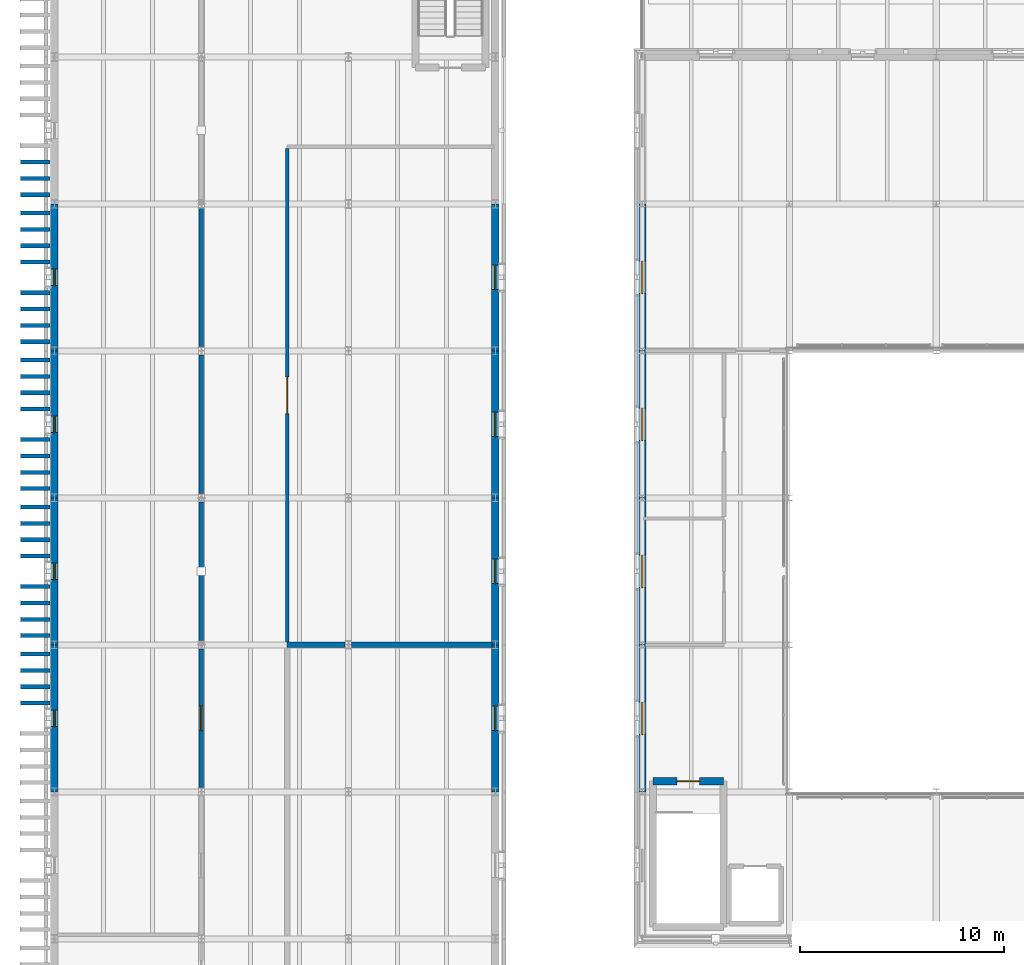
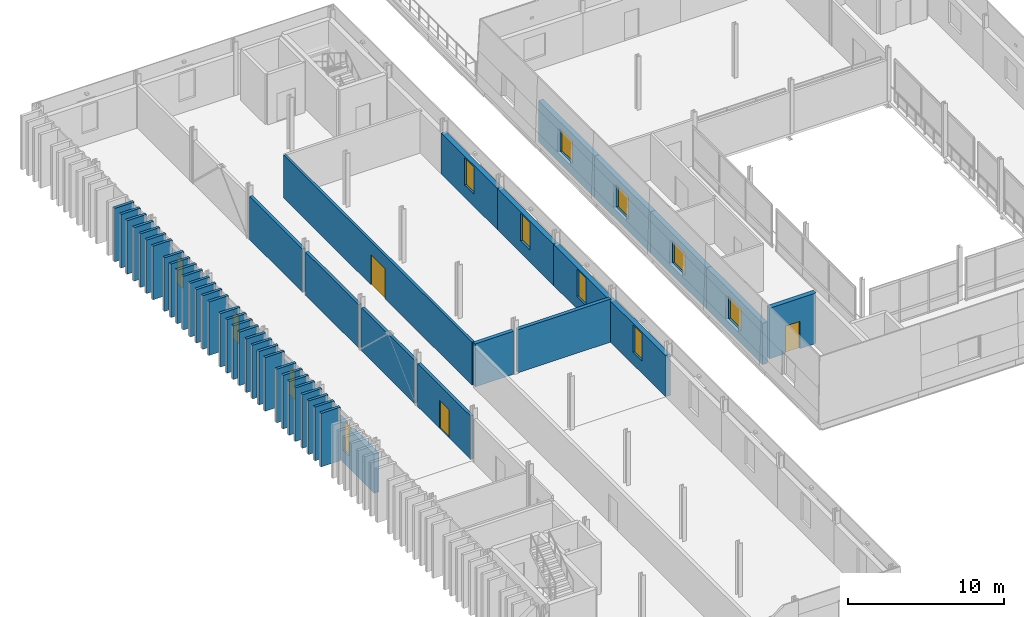
# One storey, part 46 of 66: 51 walls, 12 windows, 3 doors, 15 openings.
"""IFC4 building model written with IfcOpenShell, lengths in metres."""

from ifc_helpers import new_model, si_unit, direction, frame, frame_2d, origin, place, context, subcontext, project, spatial, rectangle, extrude, material, layer, layer_set, type_object, element, fill, save


model = new_model("IFC4")

# Units and contexts
model_context = context("Model", 3, precision=1e-05, world=origin(), true_north=direction((0.0, 1.0)))
body_context = subcontext(model_context, "Body", "Model", "MODEL_VIEW")
ifc_project = project(units=[si_unit("LENGTHUNIT", "METRE"), si_unit("AREAUNIT", "SQUARE_METRE"), si_unit("VOLUMEUNIT", "CUBIC_METRE"), si_unit("PLANEANGLEUNIT", "RADIAN"), si_unit("MASSUNIT", "GRAM", prefix="KILO")], contexts=[model_context])

# Site, building, storey
site_placement = place(None, origin())
site = spatial("IfcSite", under=ifc_project, at=site_placement, CompositionType="ELEMENT")
building_placement = place(site_placement, origin())
building = spatial("IfcBuilding", under=site, at=building_placement, Name="Narikvali Park Central Library", CompositionType="ELEMENT")
storey_placement = place(building_placement, frame((0.0, 0.0, 18.60009765625)))
storey = spatial("IfcBuildingStorey", under=building, at=storey_placement, Name="L04", CompositionType="ELEMENT", Elevation=18.60009765625)

# Wall, opening, door
ifc_material_1 = material(Name="Reinforced Masonry Blockwork C30/37", Category="masonry")
ifc_layer_1 = layer(ifc_material_1, 0.219970703125, Name="Reinforced Masonry Blockwork C30/37")
ifc_layer_set_1 = layer_set([ifc_layer_1], Name="Reinforced Masonry Blockwork C30/37")
wall_type_1 = type_object("IfcWallType", Name="Archive Fire-Resisting Partition 220", PredefinedType="SOLIDWALL", material=ifc_layer_set_1)
wall_1_placement = place(storey_placement, frame((7.199951171875, 65.00390625, 0.0), z_axis=(0.0, 0.0, 1.0), x_axis=(0.0, 1.0, 0.0)))
wall_1 = element("IfcWall", 1, at=wall_1_placement, inside=storey, type_object=wall_type_1, Name="Special Collections Closed Stacks L04 Partition E", PredefinedType="SOLIDWALL", context=body_context, shape_type="SweptSolid", body=[
    extrude(rectangle(XDim=6.7919921875, YDim=0.219970703125, at=frame_2d((3.39599609375, 0.0))), origin(), (0.0, 0.0, 1.0), 3.385009765625),
])
opening_1_placement = place(wall_1_placement, frame((2.7958984375, 0.0, 0.0)))
opening_1 = element("IfcOpeningElement", 2, at=opening_1_placement, cuts=wall_1, Name="Opening ID-0135", PredefinedType="OPENING", context=body_context, shape_type="SweptSolid", body=[
    extrude(rectangle(XDim=1.199951171875, YDim=2.199951171875, at=frame_2d((0.60009765625, 1.10009765625))), frame((0.0, 0.1220703125, 0.0), z_axis=(0.0, -1.0, 0.0), x_axis=(1.0, 0.0, 0.0)), (0.0, 0.0, 1.0), 0.243896484375),
])
ifc_material_2 = material(Name="Insulated Steel S355 Vault Leaf", Category="steel")
door_type_1 = type_object("IfcDoorType", Name="Archive Vault Heavy Fire Door 1200x2200", OperationType="SINGLE_SWING_LEFT", PredefinedType="DOOR", material=ifc_material_2)
door_1_placement = place(opening_1_placement, origin())
door_1 = element("IfcDoor", 3, at=door_1_placement, inside=storey, type_object=door_type_1, Name="Special Collections Closed Stacks L04 Door ID-0135", OperationType="SINGLE_SWING_LEFT", OverallHeight=2.199951171875, OverallWidth=1.199951171875, PredefinedType="DOOR", context=body_context, shape_type="SweptSolid", body=[
    extrude(rectangle(XDim=1.199951171875, YDim=2.199951171875, at=frame_2d((0.60009765625, 1.10009765625))), frame((0.0, 0.02490234375, 0.0), z_axis=(0.0, -1.0, 0.0), x_axis=(1.0, 0.0, 0.0)), (0.0, 0.0, 1.0), 0.050048828125),
])
fill(opening_1, door_1)

# Walls
for number, where, z_axis, x_axis, name in (
    (4, (7.199951171875, 72.2041015625, 0.0), (0.0, 0.0, 1.0), (0.0, 1.0, 0.0), "Special Collections Closed Stacks L04 Partition E"),
    (5, (7.199951171875, 79.404052734375, 0.0), (0.0, 0.0, 1.0), (0.0, 1.0, 0.0), "Special Collections Closed Stacks L04 Partition E"),
    (6, (7.199951171875, 86.60400390625, 0.0), (0.0, 0.0, 1.0), (0.0, 1.0, 0.0), "Special Collections Closed Stacks L04 Partition E"),
):
    element("IfcWall", number, at=place(storey_placement, frame(where, z_axis=z_axis, x_axis=x_axis)), inside=storey, type_object=wall_type_1, Name=name, PredefinedType="SOLIDWALL", context=body_context, shape_type="SweptSolid", body=[
        extrude(rectangle(XDim=6.7919921875, YDim=0.219970703125, at=frame_2d((3.39599609375, 0.0))), origin(), (0.0, 0.0, 1.0), 3.385009765625),
    ])
ifc_material_3 = material(Name="Kiln-Fired Terracotta Red Brick Masonry", Category="masonry")
ifc_layer_2 = layer(ifc_material_3, 0.199951171875, Name="Kiln-Fired Terracotta Red Brick Masonry")
ifc_layer_set_2 = layer_set([ifc_layer_2], Name="Kiln-Fired Terracotta Red Brick Masonry")
wall_type_2 = type_object("IfcWallType", Name="Kiln-Fired Red Brick Vertical Fin Wall 200", PredefinedType="SOLIDWALL", material=ifc_layer_set_2)
for number, where, z_axis, x_axis, name in (
    (7, (-1.659912109375, 69.14990234375, 0.0), (0.0, 0.0, 1.0), (1.0, 0.0, 0.0), "West Stacks Red Brick Vertical Fin Pier 245"),
    (8, (-1.659912109375, 69.949951171875, 0.0), (0.0, 0.0, 1.0), (1.0, 0.0, 0.0), "West Stacks Red Brick Vertical Fin Pier 251"),
    (9, (-1.659912109375, 70.75, 0.0), (0.0, 0.0, 1.0), (1.0, 0.0, 0.0), "West Stacks Red Brick Vertical Fin Pier 257"),
    (10, (-1.659912109375, 71.550048828125, 0.0), (0.0, 0.0, 1.0), (1.0, 0.0, 0.0), "West Stacks Red Brick Vertical Fin Pier 263"),
    (11, (-1.659912109375, 72.449951171875, 0.0), (0.0, 0.0, 1.0), (1.0, 0.0, 0.0), "West Stacks Red Brick Vertical Fin Pier 269"),
    (12, (-1.659912109375, 73.25, 0.0), (0.0, 0.0, 1.0), (1.0, 0.0, 0.0), "West Stacks Red Brick Vertical Fin Pier 275"),
    (13, (-1.659912109375, 74.050048828125, 0.0), (0.0, 0.0, 1.0), (1.0, 0.0, 0.0), "West Stacks Red Brick Vertical Fin Pier 281"),
    (14, (-1.659912109375, 74.85009765625, 0.0), (0.0, 0.0, 1.0), (1.0, 0.0, 0.0), "West Stacks Red Brick Vertical Fin Pier 287"),
    (15, (-1.659912109375, 76.35009765625, 0.0), (0.0, 0.0, 1.0), (1.0, 0.0, 0.0), "West Stacks Red Brick Vertical Fin Pier 293"),
    (16, (-1.659912109375, 77.14990234375, 0.0), (0.0, 0.0, 1.0), (1.0, 0.0, 0.0), "West Stacks Red Brick Vertical Fin Pier 299"),
    (17, (-1.659912109375, 77.949951171875, 0.0), (0.0, 0.0, 1.0), (1.0, 0.0, 0.0), "West Stacks Red Brick Vertical Fin Pier 305"),
    (18, (-1.659912109375, 78.75, 0.0), (0.0, 0.0, 1.0), (1.0, 0.0, 0.0), "West Stacks Red Brick Vertical Fin Pier 311"),
    (19, (-1.659912109375, 79.64990234375, 0.0), (0.0, 0.0, 1.0), (1.0, 0.0, 0.0), "West Stacks Red Brick Vertical Fin Pier 317"),
    (20, (-1.659912109375, 80.449951171875, 0.0), (0.0, 0.0, 1.0), (1.0, 0.0, 0.0), "West Stacks Red Brick Vertical Fin Pier 323"),
    (21, (-1.659912109375, 81.25, 0.0), (0.0, 0.0, 1.0), (1.0, 0.0, 0.0), "West Stacks Red Brick Vertical Fin Pier 329"),
    (22, (-1.659912109375, 82.050048828125, 0.0), (0.0, 0.0, 1.0), (1.0, 0.0, 0.0), "West Stacks Red Brick Vertical Fin Pier 335"),
    (23, (-1.659912109375, 83.550048828125, 0.0), (0.0, 0.0, 1.0), (1.0, 0.0, 0.0), "West Stacks Red Brick Vertical Fin Pier 341"),
    (24, (-1.659912109375, 84.35009765625, 0.0), (0.0, 0.0, 1.0), (1.0, 0.0, 0.0), "West Stacks Red Brick Vertical Fin Pier 347"),
    (25, (-1.659912109375, 85.14990234375, 0.0), (0.0, 0.0, 1.0), (1.0, 0.0, 0.0), "West Stacks Red Brick Vertical Fin Pier 353"),
    (26, (-1.659912109375, 85.949951171875, 0.0), (0.0, 0.0, 1.0), (1.0, 0.0, 0.0), "West Stacks Red Brick Vertical Fin Pier 359"),
    (27, (-1.659912109375, 86.85009765625, 0.0), (0.0, 0.0, 1.0), (1.0, 0.0, 0.0), "West Stacks Red Brick Vertical Fin Pier 365"),
    (28, (-1.659912109375, 87.64990234375, 0.0), (0.0, 0.0, 1.0), (1.0, 0.0, 0.0), "West Stacks Red Brick Vertical Fin Pier 371"),
    (29, (-1.659912109375, 88.449951171875, 0.0), (0.0, 0.0, 1.0), (1.0, 0.0, 0.0), "West Stacks Red Brick Vertical Fin Pier 377"),
    (30, (-1.659912109375, 89.25, 0.0), (0.0, 0.0, 1.0), (1.0, 0.0, 0.0), "West Stacks Red Brick Vertical Fin Pier 383"),
    (31, (-1.659912109375, 90.75, 0.0), (0.0, 0.0, 1.0), (1.0, 0.0, 0.0), "West Stacks Red Brick Vertical Fin Pier 389"),
    (32, (-1.659912109375, 91.550048828125, 0.0), (0.0, 0.0, 1.0), (1.0, 0.0, 0.0), "West Stacks Red Brick Vertical Fin Pier 395"),
    (33, (-1.659912109375, 92.35009765625, 0.0), (0.0, 0.0, 1.0), (1.0, 0.0, 0.0), "West Stacks Red Brick Vertical Fin Pier 401"),
    (34, (-1.659912109375, 93.14990234375, 0.0), (0.0, 0.0, 1.0), (1.0, 0.0, 0.0), "West Stacks Red Brick Vertical Fin Pier 407"),
    (35, (-1.659912109375, 94.050048828125, 0.0), (0.0, 0.0, 1.0), (1.0, 0.0, 0.0), "West Stacks Red Brick Vertical Fin Pier 413"),
    (36, (-1.659912109375, 94.85009765625, 0.0), (0.0, 0.0, 1.0), (1.0, 0.0, 0.0), "West Stacks Red Brick Vertical Fin Pier 419"),
    (37, (-1.659912109375, 95.64990234375, 0.0), (0.0, 0.0, 1.0), (1.0, 0.0, 0.0), "West Stacks Red Brick Vertical Fin Pier 425"),
):
    element("IfcWall", number, at=place(storey_placement, frame(where, z_axis=z_axis, x_axis=x_axis)), inside=storey, type_object=wall_type_2, Name=name, PredefinedType="SOLIDWALL", context=body_context, shape_type="SweptSolid", body=[
        extrude(rectangle(XDim=1.43994140625, YDim=0.199951171875, at=frame_2d((0.719970703125, 0.0))), origin(), (0.0, 0.0, 1.0), 4.199951171875),
    ])
ifc_material_4 = material(Name="High-Density Concrete Blockwork C35/45", Category="masonry")
ifc_layer_3 = layer(ifc_material_4, 0.27001953125, Name="High-Density Concrete Blockwork C35/45")
ifc_layer_set_3 = layer_set([ifc_layer_3], Name="High-Density Concrete Blockwork C35/45")
wall_type_3 = type_object("IfcWallType", Name="Rare Books Vault Partition Wall 270", PredefinedType="SOLIDWALL", material=ifc_layer_set_3)
wall_2_placement = place(storey_placement, frame((11.39990234375, 72.0, 0.0), z_axis=(0.0, 0.0, 1.0), x_axis=(1.0, 0.0, 0.0)))
element("IfcWall", 38, at=wall_2_placement, inside=storey, type_object=wall_type_3, Name="Black Sea Cartographic Archive Partition N", PredefinedType="SOLIDWALL", context=body_context, shape_type="SweptSolid", body=[
    extrude(rectangle(XDim=2.84619140625, YDim=0.27001953125, at=frame_2d((1.423095703125, 0.0))), origin(), (0.0, 0.0, 1.0), 3.375),
])
wall_3_placement = place(storey_placement, frame((14.553955078125, 72.0, 0.0), z_axis=(0.0, 0.0, 1.0), x_axis=(1.0, 0.0, 0.0)))
element("IfcWall", 39, at=wall_3_placement, inside=storey, type_object=wall_type_3, Name="Black Sea Cartographic Archive Partition N", PredefinedType="SOLIDWALL", context=body_context, shape_type="SweptSolid", body=[
    extrude(rectangle(XDim=6.89208984375, YDim=0.27001953125, at=frame_2d((3.446044921875, 0.0))), origin(), (0.0, 0.0, 1.0), 3.375),
])

# Wall, opening, door
ifc_material_5 = material(Name="Acoustic Gypsum on Steel Studs", Category="steel")
ifc_layer_4 = layer(ifc_material_5, 0.179931640625, Name="Acoustic Gypsum on Steel Studs")
ifc_layer_set_4 = layer_set([ifc_layer_4], Name="Acoustic Gypsum on Steel Studs")
wall_type_4 = type_object("IfcWallType", Name="Reading Room Acoustic Partition 180", PredefinedType="PARTITIONING", material=ifc_layer_set_4)
wall_4_placement = place(storey_placement, frame((11.39990234375, 72.136962890625, 0.0), z_axis=(0.0, 0.0, 1.0), x_axis=(0.0, 1.0, 0.0)))
wall_4 = element("IfcWall", 40, at=wall_4_placement, inside=storey, type_object=wall_type_4, Name="Cartographic and Maps Reading Room Partition W", PredefinedType="PARTITIONING", context=body_context, shape_type="SweptSolid", body=[
    extrude(rectangle(XDim=24.171142578125, YDim=0.179931640625, at=frame_2d((12.08544921875, 0.0))), origin(), (0.0, 0.0, 1.0), 3.375),
])
opening_2_placement = place(wall_4_placement, frame((11.185546875, 0.0, 0.0)))
opening_2 = element("IfcOpeningElement", 41, at=opening_2_placement, cuts=wall_4, Name="Opening ID-0137", PredefinedType="OPENING", context=body_context, shape_type="SweptSolid", body=[
    extrude(rectangle(XDim=1.800048828125, YDim=2.35009765625, at=frame_2d((0.89990234375, 1.175048828125))), frame((0.0, 0.10205078125, 0.0), z_axis=(0.0, -1.0, 0.0), x_axis=(1.0, 0.0, 0.0)), (0.0, 0.0, 1.0), 0.203857421875),
])
ifc_material_6 = material(Name="Solid Caucasian Oak and Acoustic Glass", Category="glass")
door_type_2 = type_object("IfcDoorType", Name="Reading Hall Double Oak Acoustic Door 1800x2350", OperationType="DOUBLE_DOOR_SINGLE_SWING", PredefinedType="DOOR", material=ifc_material_6)
door_2_placement = place(opening_2_placement, frame((1.800048828125, 0.0, 0.0), z_axis=(0.0, 0.0, 1.0), x_axis=(-1.0, 0.0, 0.0)))
door_2 = element("IfcDoor", 42, at=door_2_placement, inside=storey, type_object=door_type_2, Name="Cartographic and Maps Reading Room Door ID-0137", OperationType="DOUBLE_DOOR_SINGLE_SWING", OverallHeight=2.35009765625, OverallWidth=1.800048828125, PredefinedType="DOOR", context=body_context, shape_type="SweptSolid", body=[
    extrude(rectangle(XDim=1.800048828125, YDim=2.35009765625, at=frame_2d((0.89990234375, 1.175048828125))), frame((0.0, 0.02490234375, 0.0), z_axis=(0.0, -1.0, 0.0), x_axis=(1.0, 0.0, 0.0)), (0.0, 0.0, 1.0), 0.050048828125),
])
fill(opening_2, door_2)

ifc_material_7 = material(Name="Concrete C40/50", Category="concrete")
ifc_layer_5 = layer(ifc_material_7, 0.35009765625, Name="Concrete C40/50")
ifc_layer_set_5 = layer_set([ifc_layer_5], Name="Concrete C40/50")
wall_type_5 = type_object("IfcWallType", Name="Reinforced Concrete Core Shear Wall 350", PredefinedType="SHEAR", material=ifc_layer_set_5)
wall_5_placement = place(storey_placement, frame((32.77001953125, 65.320068359375, 0.0), z_axis=(0.0, 0.0, 1.0), x_axis=(-1.0, 0.0, 0.0)))
wall_5 = element("IfcWall", 43, at=wall_5_placement, inside=storey, type_object=wall_type_5, Name="C4A L04 Stair Core Shear Wall N", PredefinedType="SHEAR", context=body_context, shape_type="SweptSolid", body=[
    extrude(rectangle(XDim=3.43994140625, YDim=0.35009765625, at=frame_2d((1.719970703125, 0.0))), origin(), (0.0, 0.0, 1.0), 3.9599609375),
])
opening_3_placement = place(wall_5_placement, frame((1.169921875, 0.0, 0.0)))
opening_3 = element("IfcOpeningElement", 44, at=opening_3_placement, cuts=wall_5, Name="Opening SD-029", PredefinedType="OPENING", context=body_context, shape_type="SweptSolid", body=[
    extrude(rectangle(XDim=1.10009765625, YDim=2.14990234375, at=frame_2d((0.550048828125, 1.074951171875))), frame((0.0, 0.18701171875, 0.0), z_axis=(0.0, -1.0, 0.0), x_axis=(1.0, 0.0, 0.0)), (0.0, 0.0, 1.0), 0.3740234375),
])
ifc_material_8 = material(Name="Powder-Coated Steel S275 Fire Leaf", Category="steel")
door_type_3 = type_object("IfcDoorType", Name="Stair Core Smoke-Control Fire Door 1100x2150", OperationType="SINGLE_SWING_LEFT", PredefinedType="DOOR", material=ifc_material_8)
door_3_placement = place(opening_3_placement, frame((1.10009765625, 0.0, 0.0), z_axis=(0.0, 0.0, 1.0), x_axis=(-1.0, 0.0, 0.0)))
door_3 = element("IfcDoor", 45, at=door_3_placement, inside=storey, type_object=door_type_3, Name="ST-07 L04 Stair Exit Door SD-029", OperationType="SINGLE_SWING_LEFT", OverallHeight=2.14990234375, OverallWidth=1.10009765625, PredefinedType="DOOR", context=body_context, shape_type="SweptSolid", body=[
    extrude(rectangle(XDim=1.10009765625, YDim=2.14990234375, at=frame_2d((0.550048828125, 1.074951171875))), frame((0.0, 0.02490234375, 0.0), z_axis=(0.0, -1.0, 0.0), x_axis=(1.0, 0.0, 0.0)), (0.0, 0.0, 1.0), 0.050048828125),
])
fill(opening_3, door_3)

# Wall, opening, window
ifc_material_9 = material(Name="White Honed Limestone over Concrete C35/45", Category="masonry")
ifc_layer_6 = layer(ifc_material_9, 0.360107421875, Name="White Honed Limestone over Concrete C35/45")
ifc_layer_set_6 = layer_set([ifc_layer_6], Name="White Honed Limestone over Concrete C35/45")
wall_type_6 = type_object("IfcWallType", Name="White Limestone Attic Clerestory Wall 360", PredefinedType="SOLIDWALL", material=ifc_layer_set_6)
wall_6_placement = place(storey_placement, frame((28.800048828125, 93.60009765625, 0.0), z_axis=(0.0, 0.0, 1.0), x_axis=(0.0, -1.0, 0.0)))
wall_6 = element("IfcWall", 46, at=wall_6_placement, inside=storey, type_object=wall_type_6, Name="V4 L04 W Exterior Limestone Wall B02", PredefinedType="SOLIDWALL", context=body_context, shape_type="SweptSolid", body=[
    extrude(rectangle(XDim=7.2001953125, YDim=0.360107421875, at=frame_2d((3.60009765625, 0.0))), origin(), (0.0, 0.0, 1.0), 3.239990234375),
])
opening_4_placement = place(wall_6_placement, frame((2.800048828125, 0.0, 0.949951171875)))
opening_4 = element("IfcOpeningElement", 47, at=opening_4_placement, cuts=wall_6, Name="Opening WIN-0218", PredefinedType="OPENING", context=body_context, shape_type="SweptSolid", body=[
    extrude(rectangle(XDim=1.60009765625, YDim=1.75, at=frame_2d((0.800048828125, 0.875))), frame((0.0, 0.19189453125, 0.0), z_axis=(0.0, -1.0, 0.0), x_axis=(1.0, 0.0, 0.0)), (0.0, 0.0, 1.0), 0.384033203125),
])
ifc_material_10 = material(Name="Anodised Bronze Aluminium and Low-E Triple Glazing", Category="aluminium")
window_type_1 = type_object("IfcWindowType", Name="Atrium Attic Study Punched Window 1600x1750", PartitioningType="DOUBLE_PANEL_HORIZONTAL", PredefinedType="WINDOW", material=ifc_material_10)
window_1_placement = place(opening_4_placement, origin())
window_1 = element("IfcWindow", 48, at=window_1_placement, inside=storey, type_object=window_type_1, Name="V4 L04 W Deep-Reveal Window WIN-0218", OverallHeight=1.75, OverallWidth=1.60009765625, PartitioningType="SINGLE_PANEL", PredefinedType="WINDOW", context=body_context, shape_type="SweptSolid", body=[
    extrude(rectangle(XDim=1.60009765625, YDim=1.75, at=frame_2d((0.800048828125, 0.875))), frame((0.0, 0.030029296875, 0.0), z_axis=(0.0, -1.0, 0.0), x_axis=(1.0, 0.0, 0.0)), (0.0, 0.0, 1.0), 0.06005859375),
])
fill(opening_4, window_1)

wall_7_placement = place(storey_placement, frame((28.800048828125, 86.39990234375, 0.0), z_axis=(0.0, 0.0, 1.0), x_axis=(0.0, -1.0, 0.0)))
wall_7 = element("IfcWall", 49, at=wall_7_placement, inside=storey, type_object=wall_type_6, Name="V4 L04 W Exterior Limestone Wall B03", PredefinedType="SOLIDWALL", context=body_context, shape_type="SweptSolid", body=[
    extrude(rectangle(XDim=7.199951171875, YDim=0.360107421875, at=frame_2d((3.60009765625, 0.0))), origin(), (0.0, 0.0, 1.0), 3.239990234375),
])
opening_5_placement = place(wall_7_placement, frame((2.800048828125, 0.0, 0.949951171875)))
opening_5 = element("IfcOpeningElement", 50, at=opening_5_placement, cuts=wall_7, Name="Opening WIN-0219", PredefinedType="OPENING", context=body_context, shape_type="SweptSolid", body=[
    extrude(rectangle(XDim=1.60009765625, YDim=1.75, at=frame_2d((0.800048828125, 0.875))), frame((0.0, 0.19189453125, 0.0), z_axis=(0.0, -1.0, 0.0), x_axis=(1.0, 0.0, 0.0)), (0.0, 0.0, 1.0), 0.384033203125),
])
window_2_placement = place(opening_5_placement, origin())
window_2 = element("IfcWindow", 51, at=window_2_placement, inside=storey, type_object=window_type_1, Name="V4 L04 W Deep-Reveal Window WIN-0219", OverallHeight=1.75, OverallWidth=1.60009765625, PartitioningType="SINGLE_PANEL", PredefinedType="WINDOW", context=body_context, shape_type="SweptSolid", body=[
    extrude(rectangle(XDim=1.60009765625, YDim=1.75, at=frame_2d((0.800048828125, 0.875))), frame((0.0, 0.030029296875, 0.0), z_axis=(0.0, -1.0, 0.0), x_axis=(1.0, 0.0, 0.0)), (0.0, 0.0, 1.0), 0.06005859375),
])
fill(opening_5, window_2)

wall_8_placement = place(storey_placement, frame((28.800048828125, 79.199951171875, 0.0), z_axis=(0.0, 0.0, 1.0), x_axis=(0.0, -1.0, 0.0)))
wall_8 = element("IfcWall", 52, at=wall_8_placement, inside=storey, type_object=wall_type_6, Name="V4 L04 W Exterior Limestone Wall B04", PredefinedType="SOLIDWALL", context=body_context, shape_type="SweptSolid", body=[
    extrude(rectangle(XDim=7.199951171875, YDim=0.360107421875, at=frame_2d((3.60009765625, 0.0))), origin(), (0.0, 0.0, 1.0), 3.239990234375),
])
opening_6_placement = place(wall_8_placement, frame((2.800048828125, 0.0, 0.949951171875)))
opening_6 = element("IfcOpeningElement", 53, at=opening_6_placement, cuts=wall_8, Name="Opening WIN-0220", PredefinedType="OPENING", context=body_context, shape_type="SweptSolid", body=[
    extrude(rectangle(XDim=1.60009765625, YDim=1.75, at=frame_2d((0.800048828125, 0.875))), frame((0.0, 0.19189453125, 0.0), z_axis=(0.0, -1.0, 0.0), x_axis=(1.0, 0.0, 0.0)), (0.0, 0.0, 1.0), 0.384033203125),
])
window_3_placement = place(opening_6_placement, origin())
window_3 = element("IfcWindow", 54, at=window_3_placement, inside=storey, type_object=window_type_1, Name="V4 L04 W Deep-Reveal Window WIN-0220", OverallHeight=1.75, OverallWidth=1.60009765625, PartitioningType="SINGLE_PANEL", PredefinedType="WINDOW", context=body_context, shape_type="SweptSolid", body=[
    extrude(rectangle(XDim=1.60009765625, YDim=1.75, at=frame_2d((0.800048828125, 0.875))), frame((0.0, 0.030029296875, 0.0), z_axis=(0.0, -1.0, 0.0), x_axis=(1.0, 0.0, 0.0)), (0.0, 0.0, 1.0), 0.06005859375),
])
fill(opening_6, window_3)

wall_9_placement = place(storey_placement, frame((28.800048828125, 72.0, 0.0), z_axis=(0.0, 0.0, 1.0), x_axis=(0.0, -1.0, 0.0)))
wall_9 = element("IfcWall", 55, at=wall_9_placement, inside=storey, type_object=wall_type_6, Name="V4 L04 W Exterior Limestone Wall B05", PredefinedType="SOLIDWALL", context=body_context, shape_type="SweptSolid", body=[
    extrude(rectangle(XDim=7.199951171875, YDim=0.360107421875, at=frame_2d((3.60009765625, 0.0))), origin(), (0.0, 0.0, 1.0), 3.239990234375),
])
opening_7_placement = place(wall_9_placement, frame((2.800048828125, 0.0, 0.949951171875)))
opening_7 = element("IfcOpeningElement", 56, at=opening_7_placement, cuts=wall_9, Name="Opening WIN-0221", PredefinedType="OPENING", context=body_context, shape_type="SweptSolid", body=[
    extrude(rectangle(XDim=1.60009765625, YDim=1.75, at=frame_2d((0.800048828125, 0.875))), frame((0.0, 0.19189453125, 0.0), z_axis=(0.0, -1.0, 0.0), x_axis=(1.0, 0.0, 0.0)), (0.0, 0.0, 1.0), 0.384033203125),
])
window_4_placement = place(opening_7_placement, origin())
window_4 = element("IfcWindow", 57, at=window_4_placement, inside=storey, type_object=window_type_1, Name="V4 L04 W Deep-Reveal Window WIN-0221", OverallHeight=1.75, OverallWidth=1.60009765625, PartitioningType="SINGLE_PANEL", PredefinedType="WINDOW", context=body_context, shape_type="SweptSolid", body=[
    extrude(rectangle(XDim=1.60009765625, YDim=1.75, at=frame_2d((0.800048828125, 0.875))), frame((0.0, 0.030029296875, 0.0), z_axis=(0.0, -1.0, 0.0), x_axis=(1.0, 0.0, 0.0)), (0.0, 0.0, 1.0), 0.06005859375),
])
fill(opening_7, window_4)

wall_10_placement = place(storey_placement, frame((21.60009765625, 64.800048828125, 0.0), z_axis=(0.0, 0.0, 1.0), x_axis=(0.0, 1.0, 0.0)))
wall_10 = element("IfcWall", 58, at=wall_10_placement, inside=storey, type_object=wall_type_6, Name="V5 L04 E Exterior Limestone Wall B05", PredefinedType="SOLIDWALL", context=body_context, shape_type="SweptSolid", body=[
    extrude(rectangle(XDim=7.199951171875, YDim=0.360107421875, at=frame_2d((3.60009765625, 0.0))), origin(), (0.0, 0.0, 1.0), 3.219970703125),
])
opening_8_placement = place(wall_10_placement, frame((3.0, 0.0, 0.949951171875)))
opening_8 = element("IfcOpeningElement", 59, at=opening_8_placement, cuts=wall_10, Name="Opening WIN-0312", PredefinedType="OPENING", context=body_context, shape_type="SweptSolid", body=[
    extrude(rectangle(XDim=1.199951171875, YDim=2.14990234375, at=frame_2d((0.60009765625, 1.074951171875))), frame((0.0, 0.19189453125, 0.0), z_axis=(0.0, -1.0, 0.0), x_axis=(1.0, 0.0, 0.0)), (0.0, 0.0, 1.0), 0.384033203125),
])
window_type_2 = type_object("IfcWindowType", Name="Stacks Archive Deep-Reveal Punched Window 1200x2150", PartitioningType="SINGLE_PANEL", PredefinedType="WINDOW", material=ifc_material_10)
window_5_placement = place(opening_8_placement, origin())
window_5 = element("IfcWindow", 60, at=window_5_placement, inside=storey, type_object=window_type_2, Name="V5 L04 E Deep-Reveal Window WIN-0312", OverallHeight=2.14990234375, OverallWidth=1.199951171875, PartitioningType="SINGLE_PANEL", PredefinedType="WINDOW", context=body_context, shape_type="SweptSolid", body=[
    extrude(rectangle(XDim=1.199951171875, YDim=2.14990234375, at=frame_2d((0.60009765625, 1.074951171875))), frame((0.0, 0.030029296875, 0.0), z_axis=(0.0, -1.0, 0.0), x_axis=(1.0, 0.0, 0.0)), (0.0, 0.0, 1.0), 0.06005859375),
])
fill(opening_8, window_5)

wall_11_placement = place(storey_placement, frame((21.60009765625, 72.0, 0.0), z_axis=(0.0, 0.0, 1.0), x_axis=(0.0, 1.0, 0.0)))
wall_11 = element("IfcWall", 61, at=wall_11_placement, inside=storey, type_object=wall_type_6, Name="V5 L04 E Exterior Limestone Wall B06", PredefinedType="SOLIDWALL", context=body_context, shape_type="SweptSolid", body=[
    extrude(rectangle(XDim=7.199951171875, YDim=0.360107421875, at=frame_2d((3.60009765625, 0.0))), origin(), (0.0, 0.0, 1.0), 3.219970703125),
])
opening_9_placement = place(wall_11_placement, frame((3.0, 0.0, 0.949951171875)))
opening_9 = element("IfcOpeningElement", 62, at=opening_9_placement, cuts=wall_11, Name="Opening WIN-0313", PredefinedType="OPENING", context=body_context, shape_type="SweptSolid", body=[
    extrude(rectangle(XDim=1.199951171875, YDim=2.14990234375, at=frame_2d((0.60009765625, 1.074951171875))), frame((0.0, 0.19189453125, 0.0), z_axis=(0.0, -1.0, 0.0), x_axis=(1.0, 0.0, 0.0)), (0.0, 0.0, 1.0), 0.384033203125),
])
window_6_placement = place(opening_9_placement, origin())
window_6 = element("IfcWindow", 63, at=window_6_placement, inside=storey, type_object=window_type_2, Name="V5 L04 E Deep-Reveal Window WIN-0313", OverallHeight=2.14990234375, OverallWidth=1.199951171875, PartitioningType="SINGLE_PANEL", PredefinedType="WINDOW", context=body_context, shape_type="SweptSolid", body=[
    extrude(rectangle(XDim=1.199951171875, YDim=2.14990234375, at=frame_2d((0.60009765625, 1.074951171875))), frame((0.0, 0.030029296875, 0.0), z_axis=(0.0, -1.0, 0.0), x_axis=(1.0, 0.0, 0.0)), (0.0, 0.0, 1.0), 0.06005859375),
])
fill(opening_9, window_6)

wall_12_placement = place(storey_placement, frame((21.60009765625, 79.199951171875, 0.0), z_axis=(0.0, 0.0, 1.0), x_axis=(0.0, 1.0, 0.0)))
wall_12 = element("IfcWall", 64, at=wall_12_placement, inside=storey, type_object=wall_type_6, Name="V5 L04 E Exterior Limestone Wall B07", PredefinedType="SOLIDWALL", context=body_context, shape_type="SweptSolid", body=[
    extrude(rectangle(XDim=7.199951171875, YDim=0.360107421875, at=frame_2d((3.60009765625, 0.0))), origin(), (0.0, 0.0, 1.0), 3.219970703125),
])
opening_10_placement = place(wall_12_placement, frame((3.0, 0.0, 0.949951171875)))
opening_10 = element("IfcOpeningElement", 65, at=opening_10_placement, cuts=wall_12, Name="Opening WIN-0314", PredefinedType="OPENING", context=body_context, shape_type="SweptSolid", body=[
    extrude(rectangle(XDim=1.199951171875, YDim=2.14990234375, at=frame_2d((0.60009765625, 1.074951171875))), frame((0.0, 0.19189453125, 0.0), z_axis=(0.0, -1.0, 0.0), x_axis=(1.0, 0.0, 0.0)), (0.0, 0.0, 1.0), 0.384033203125),
])
window_7_placement = place(opening_10_placement, origin())
window_7 = element("IfcWindow", 66, at=window_7_placement, inside=storey, type_object=window_type_2, Name="V5 L04 E Deep-Reveal Window WIN-0314", OverallHeight=2.14990234375, OverallWidth=1.199951171875, PartitioningType="SINGLE_PANEL", PredefinedType="WINDOW", context=body_context, shape_type="SweptSolid", body=[
    extrude(rectangle(XDim=1.199951171875, YDim=2.14990234375, at=frame_2d((0.60009765625, 1.074951171875))), frame((0.0, 0.030029296875, 0.0), z_axis=(0.0, -1.0, 0.0), x_axis=(1.0, 0.0, 0.0)), (0.0, 0.0, 1.0), 0.06005859375),
])
fill(opening_10, window_7)

wall_13_placement = place(storey_placement, frame((21.60009765625, 86.39990234375, 0.0), z_axis=(0.0, 0.0, 1.0), x_axis=(0.0, 1.0, 0.0)))
wall_13 = element("IfcWall", 67, at=wall_13_placement, inside=storey, type_object=wall_type_6, Name="V5 L04 E Exterior Limestone Wall B08", PredefinedType="SOLIDWALL", context=body_context, shape_type="SweptSolid", body=[
    extrude(rectangle(XDim=7.2001953125, YDim=0.360107421875, at=frame_2d((3.60009765625, 0.0))), origin(), (0.0, 0.0, 1.0), 3.219970703125),
])
opening_11_placement = place(wall_13_placement, frame((3.0, 0.0, 0.949951171875)))
opening_11 = element("IfcOpeningElement", 68, at=opening_11_placement, cuts=wall_13, Name="Opening WIN-0315", PredefinedType="OPENING", context=body_context, shape_type="SweptSolid", body=[
    extrude(rectangle(XDim=1.199951171875, YDim=2.14990234375, at=frame_2d((0.60009765625, 1.074951171875))), frame((0.0, 0.19189453125, 0.0), z_axis=(0.0, -1.0, 0.0), x_axis=(1.0, 0.0, 0.0)), (0.0, 0.0, 1.0), 0.384033203125),
])
window_8_placement = place(opening_11_placement, origin())
window_8 = element("IfcWindow", 69, at=window_8_placement, inside=storey, type_object=window_type_2, Name="V5 L04 E Deep-Reveal Window WIN-0315", OverallHeight=2.14990234375, OverallWidth=1.199951171875, PartitioningType="SINGLE_PANEL", PredefinedType="WINDOW", context=body_context, shape_type="SweptSolid", body=[
    extrude(rectangle(XDim=1.199951171875, YDim=2.14990234375, at=frame_2d((0.60009765625, 1.074951171875))), frame((0.0, 0.030029296875, 0.0), z_axis=(0.0, -1.0, 0.0), x_axis=(1.0, 0.0, 0.0)), (0.0, 0.0, 1.0), 0.06005859375),
])
fill(opening_11, window_8)

wall_14_placement = place(storey_placement, frame((0.0, 93.60009765625, 0.0), z_axis=(0.0, 0.0, 1.0), x_axis=(0.0, -1.0, 0.0)))
wall_14 = element("IfcWall", 70, at=wall_14_placement, inside=storey, type_object=wall_type_6, Name="V5 L04 W Exterior Limestone Wall B03", PredefinedType="SOLIDWALL", context=body_context, shape_type="SweptSolid", body=[
    extrude(rectangle(XDim=7.2001953125, YDim=0.360107421875, at=frame_2d((3.60009765625, 0.0))), origin(), (0.0, 0.0, 1.0), 3.059814453125),
])
opening_12_placement = place(wall_14_placement, frame((3.199951171875, 0.0, 0.949951171875)))
opening_12 = element("IfcOpeningElement", 71, at=opening_12_placement, cuts=wall_14, Name="Opening WIN-0321", PredefinedType="OPENING", context=body_context, shape_type="SweptSolid", body=[
    extrude(rectangle(XDim=0.800048828125, YDim=2.14990234375, at=frame_2d((0.39990234375, 1.074951171875))), frame((0.0, 0.19189453125, 0.0), z_axis=(0.0, -1.0, 0.0), x_axis=(1.0, 0.0, 0.0)), (0.0, 0.0, 1.0), 0.384033203125),
])
window_type_3 = type_object("IfcWindowType", Name="West Fin-Bay Narrow Carrel Slot Window 800x2150", PartitioningType="SINGLE_PANEL", PredefinedType="WINDOW", material=ifc_material_10)
window_9_placement = place(opening_12_placement, origin())
window_9 = element("IfcWindow", 72, at=window_9_placement, inside=storey, type_object=window_type_3, Name="V5 L04 W Deep-Reveal Window WIN-0321", OverallHeight=2.14990234375, OverallWidth=0.800048828125, PartitioningType="SINGLE_PANEL", PredefinedType="WINDOW", context=body_context, shape_type="SweptSolid", body=[
    extrude(rectangle(XDim=0.800048828125, YDim=2.14990234375, at=frame_2d((0.39990234375, 1.074951171875))), frame((0.0, 0.030029296875, 0.0), z_axis=(0.0, -1.0, 0.0), x_axis=(1.0, 0.0, 0.0)), (0.0, 0.0, 1.0), 0.06005859375),
])
fill(opening_12, window_9)

wall_15_placement = place(storey_placement, frame((0.0, 86.39990234375, 0.0), z_axis=(0.0, 0.0, 1.0), x_axis=(0.0, -1.0, 0.0)))
wall_15 = element("IfcWall", 73, at=wall_15_placement, inside=storey, type_object=wall_type_6, Name="V5 L04 W Exterior Limestone Wall B04", PredefinedType="SOLIDWALL", context=body_context, shape_type="SweptSolid", body=[
    extrude(rectangle(XDim=7.199951171875, YDim=0.360107421875, at=frame_2d((3.60009765625, 0.0))), origin(), (0.0, 0.0, 1.0), 3.059814453125),
])
opening_13_placement = place(wall_15_placement, frame((3.199951171875, 0.0, 0.949951171875)))
opening_13 = element("IfcOpeningElement", 74, at=opening_13_placement, cuts=wall_15, Name="Opening WIN-0322", PredefinedType="OPENING", context=body_context, shape_type="SweptSolid", body=[
    extrude(rectangle(XDim=0.800048828125, YDim=2.14990234375, at=frame_2d((0.39990234375, 1.074951171875))), frame((0.0, 0.19189453125, 0.0), z_axis=(0.0, -1.0, 0.0), x_axis=(1.0, 0.0, 0.0)), (0.0, 0.0, 1.0), 0.384033203125),
])
window_10_placement = place(opening_13_placement, origin())
window_10 = element("IfcWindow", 75, at=window_10_placement, inside=storey, type_object=window_type_3, Name="V5 L04 W Deep-Reveal Window WIN-0322", OverallHeight=2.14990234375, OverallWidth=0.800048828125, PartitioningType="SINGLE_PANEL", PredefinedType="WINDOW", context=body_context, shape_type="SweptSolid", body=[
    extrude(rectangle(XDim=0.800048828125, YDim=2.14990234375, at=frame_2d((0.39990234375, 1.074951171875))), frame((0.0, 0.030029296875, 0.0), z_axis=(0.0, -1.0, 0.0), x_axis=(1.0, 0.0, 0.0)), (0.0, 0.0, 1.0), 0.06005859375),
])
fill(opening_13, window_10)

wall_16_placement = place(storey_placement, frame((0.0, 79.199951171875, 0.0), z_axis=(0.0, 0.0, 1.0), x_axis=(0.0, -1.0, 0.0)))
wall_16 = element("IfcWall", 76, at=wall_16_placement, inside=storey, type_object=wall_type_6, Name="V5 L04 W Exterior Limestone Wall B05", PredefinedType="SOLIDWALL", context=body_context, shape_type="SweptSolid", body=[
    extrude(rectangle(XDim=7.199951171875, YDim=0.360107421875, at=frame_2d((3.60009765625, 0.0))), origin(), (0.0, 0.0, 1.0), 3.059814453125),
])
opening_14_placement = place(wall_16_placement, frame((3.199951171875, 0.0, 0.949951171875)))
opening_14 = element("IfcOpeningElement", 77, at=opening_14_placement, cuts=wall_16, Name="Opening WIN-0323", PredefinedType="OPENING", context=body_context, shape_type="SweptSolid", body=[
    extrude(rectangle(XDim=0.800048828125, YDim=2.14990234375, at=frame_2d((0.39990234375, 1.074951171875))), frame((0.0, 0.19189453125, 0.0), z_axis=(0.0, -1.0, 0.0), x_axis=(1.0, 0.0, 0.0)), (0.0, 0.0, 1.0), 0.384033203125),
])
window_11_placement = place(opening_14_placement, origin())
window_11 = element("IfcWindow", 78, at=window_11_placement, inside=storey, type_object=window_type_3, Name="V5 L04 W Deep-Reveal Window WIN-0323", OverallHeight=2.14990234375, OverallWidth=0.800048828125, PartitioningType="SINGLE_PANEL", PredefinedType="WINDOW", context=body_context, shape_type="SweptSolid", body=[
    extrude(rectangle(XDim=0.800048828125, YDim=2.14990234375, at=frame_2d((0.39990234375, 1.074951171875))), frame((0.0, 0.030029296875, 0.0), z_axis=(0.0, -1.0, 0.0), x_axis=(1.0, 0.0, 0.0)), (0.0, 0.0, 1.0), 0.06005859375),
])
fill(opening_14, window_11)

wall_17_placement = place(storey_placement, frame((0.0, 72.0, 0.0), z_axis=(0.0, 0.0, 1.0), x_axis=(0.0, -1.0, 0.0)))
wall_17 = element("IfcWall", 79, at=wall_17_placement, inside=storey, type_object=wall_type_6, Name="V5 L04 W Exterior Limestone Wall B06", PredefinedType="SOLIDWALL", context=body_context, shape_type="SweptSolid", body=[
    extrude(rectangle(XDim=7.199951171875, YDim=0.360107421875, at=frame_2d((3.60009765625, 0.0))), origin(), (0.0, 0.0, 1.0), 3.059814453125),
])
opening_15_placement = place(wall_17_placement, frame((3.199951171875, 0.0, 0.949951171875)))
opening_15 = element("IfcOpeningElement", 80, at=opening_15_placement, cuts=wall_17, Name="Opening WIN-0324", PredefinedType="OPENING", context=body_context, shape_type="SweptSolid", body=[
    extrude(rectangle(XDim=0.800048828125, YDim=2.14990234375, at=frame_2d((0.39990234375, 1.074951171875))), frame((0.0, 0.19189453125, 0.0), z_axis=(0.0, -1.0, 0.0), x_axis=(1.0, 0.0, 0.0)), (0.0, 0.0, 1.0), 0.384033203125),
])
window_12_placement = place(opening_15_placement, origin())
window_12 = element("IfcWindow", 81, at=window_12_placement, inside=storey, type_object=window_type_3, Name="V5 L04 W Deep-Reveal Window WIN-0324", OverallHeight=2.14990234375, OverallWidth=0.800048828125, PartitioningType="SINGLE_PANEL", PredefinedType="WINDOW", context=body_context, shape_type="SweptSolid", body=[
    extrude(rectangle(XDim=0.800048828125, YDim=2.14990234375, at=frame_2d((0.39990234375, 1.074951171875))), frame((0.0, 0.030029296875, 0.0), z_axis=(0.0, -1.0, 0.0), x_axis=(1.0, 0.0, 0.0)), (0.0, 0.0, 1.0), 0.06005859375),
])
fill(opening_15, window_12)

save(model, "model.ifc")
